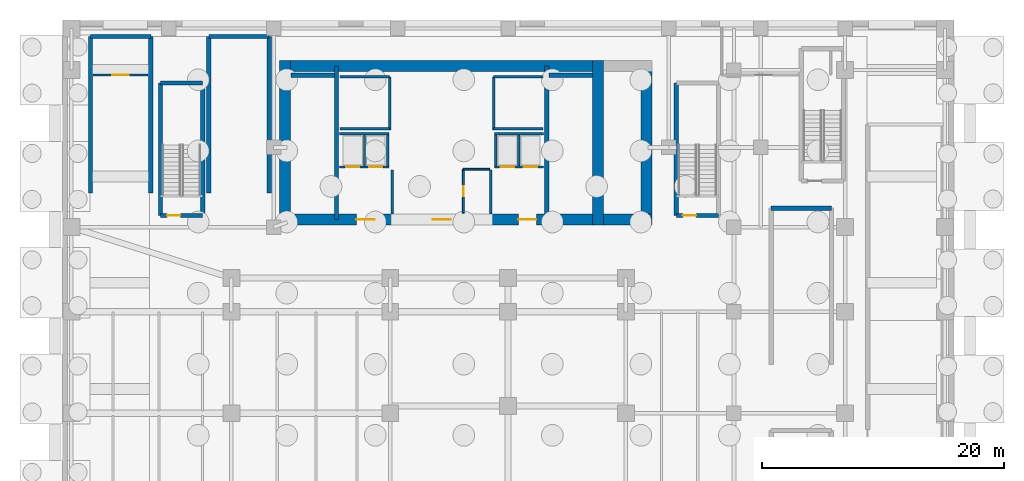
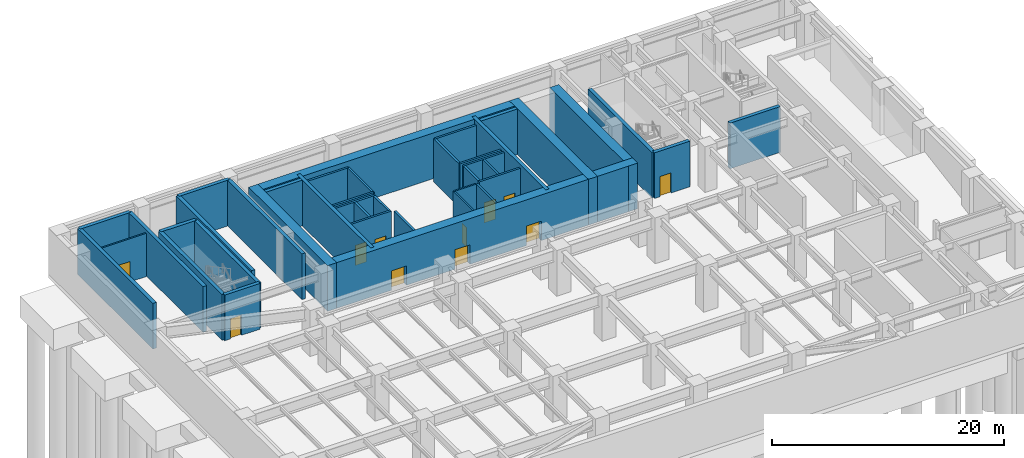
# One storey, part 5 of 9: 42 walls, 11 doors, 11 openings.
"""IFC4 building model written with IfcOpenShell, lengths in metres."""

from ifc_helpers import new_model, si_unit, direction, frame, frame_2d, origin, place, context, subcontext, project, spatial, rectangle, extrude, source, transform, mapped, material, layer, layer_set, type_object, type_shapes, element, fill, save


model = new_model("IFC4")

# Units and contexts
model_context = context("Model", 3, precision=1e-05, world=origin(), true_north=direction((0.0, 1.0)))
body_context = subcontext(model_context, "Body", "Model", "MODEL_VIEW")
ifc_project = project(units=[si_unit("LENGTHUNIT", "METRE"), si_unit("AREAUNIT", "SQUARE_METRE"), si_unit("VOLUMEUNIT", "CUBIC_METRE"), si_unit("PLANEANGLEUNIT", "RADIAN"), si_unit("MASSUNIT", "GRAM", prefix="KILO")], contexts=[model_context])

# Site, building, storey
site_placement = place(None, origin())
site = spatial("IfcSite", under=ifc_project, at=site_placement, CompositionType="ELEMENT")
building_placement = place(site_placement, origin())
building = spatial("IfcBuilding", under=site, at=building_placement, Name="Tolvann Quenvar Hotel", CompositionType="ELEMENT")
storey_placement = place(building_placement, frame((0.0, 0.0, -14.39990234375)))
storey = spatial("IfcBuildingStorey", under=building, at=storey_placement, Name="B03", CompositionType="ELEMENT", Elevation=-14.39990234375)

# Wall, openings, doors
ifc_material_1 = material(Name="Concrete S80 (80 MPa)", Category="concrete")
ifc_layer_1 = layer(ifc_material_1, 0.89990234375)
ifc_layer_set_1 = layer_set([ifc_layer_1], Name="Concrete S80 (80 MPa)")
wall_type_1 = type_object("IfcWallType", Name="WALL_CORE_900", PredefinedType="SHEAR", material=ifc_layer_set_1)
wall_1_placement = place(storey_placement, frame((9.60009765625, 32.050048828125, 0.0), z_axis=(0.0, 0.0, 1.0), x_axis=(1.0, 0.0, 0.0)))
wall_1 = element("IfcWall", 1, at=wall_1_placement, inside=storey, type_object=wall_type_1, Name="Rear Core S Shear Wall (B03)", PredefinedType="SHEAR", context=body_context, shape_type="SweptSolid", body=[
    extrude(rectangle(XDim=26.7998046875, YDim=0.89990234375, at=frame_2d((13.39990234375, 0.0))), origin(), (0.0, 0.0, 1.0), 4.7998046875),
])
opening_1_placement = place(wall_1_placement, frame((7.85009765625, 0.0, 0.0), z_axis=(0.0, 0.0, 1.0), x_axis=(-1.0, 0.0, 0.0)))
opening_1 = element("IfcOpeningElement", 2, at=opening_1_placement, cuts=wall_1, Name="Opening FD-60D", PredefinedType="OPENING", context=body_context, shape_type="SweptSolid", body=[
    extrude(rectangle(XDim=1.5, YDim=2.0400390625, at=frame_2d((0.75, 1.02001953125))), frame((0.0, 0.4599609375, 0.0), z_axis=(0.0, -1.0, 0.0), x_axis=(1.0, 0.0, 0.0)), (0.0, 0.0, 1.0), 0.919921875),
])
opening_2_placement = place(wall_1_placement, frame((14.14990234375, 0.0, 0.0), z_axis=(0.0, 0.0, 1.0), x_axis=(-1.0, 0.0, 0.0)))
opening_2 = element("IfcOpeningElement", 3, at=opening_2_placement, cuts=wall_1, Name="Opening FD-60D", PredefinedType="OPENING", context=body_context, shape_type="SweptSolid", body=[
    extrude(rectangle(XDim=1.5, YDim=2.0400390625, at=frame_2d((0.75, 1.02001953125))), frame((0.0, 0.4599609375, 0.0), z_axis=(0.0, -1.0, 0.0), x_axis=(1.0, 0.0, 0.0)), (0.0, 0.0, 1.0), 0.919921875),
])
opening_3_placement = place(wall_1_placement, frame((21.25, 0.0, 0.0), z_axis=(0.0, 0.0, 1.0), x_axis=(-1.0, 0.0, 0.0)))
opening_3 = element("IfcOpeningElement", 4, at=opening_3_placement, cuts=wall_1, Name="Opening FD-60D", PredefinedType="OPENING", context=body_context, shape_type="SweptSolid", body=[
    extrude(rectangle(XDim=1.5, YDim=2.0400390625, at=frame_2d((0.75, 1.02001953125))), frame((0.0, 0.4599609375, 0.0), z_axis=(0.0, -1.0, 0.0), x_axis=(1.0, 0.0, 0.0)), (0.0, 0.0, 1.0), 0.919921875),
])
ifc_material_2 = material(Name="Solid-core American oak acoustic fire door leaf in steel frame", Category="steel")
door_type_1 = type_object("IfcDoorType", Name="DOOR_FIRE_LOBBY_1500", OperationType="NOTDEFINED", PredefinedType="DOOR", material=ifc_material_2)
shared_shape_1 = source(origin(), body_context, "Body", "SweptSolid", [
    extrude(rectangle(XDim=1.5, YDim=2.0400390625, at=frame_2d((0.75, 1.02001953125))), frame((0.0, 0.02490234375, 0.0), z_axis=(0.0, -1.0, 0.0), x_axis=(1.0, 0.0, 0.0)), (0.0, 0.0, 1.0), 0.050048828125),
])
type_shapes(door_type_1, [shared_shape_1])
door_1_placement = place(opening_1_placement, origin())
door_1 = element("IfcDoor", 5, at=door_1_placement, inside=storey, type_object=door_type_1, Name="Core Lobby Fire Door FFW (B03)", OperationType="DOUBLE_DOOR_SINGLE_SWING", OverallHeight=2.0400390625, OverallWidth=1.5, PredefinedType="DOOR", context=body_context, shape_type="MappedRepresentation", body=[
    mapped(shared_shape_1, transform((0.0, 0.0, 0.0), x_axis=(1.0, 0.0, 0.0), y_axis=(0.0, 1.0, 0.0), z_axis=(0.0, 0.0, 1.0), scale=1.0)),
])
fill(opening_1, door_1)
door_2_placement = place(opening_2_placement, origin())
door_2 = element("IfcDoor", 6, at=door_2_placement, inside=storey, type_object=door_type_1, Name="Core Lobby Fire Door CLOB (B03)", OperationType="DOUBLE_DOOR_SINGLE_SWING", OverallHeight=2.0400390625, OverallWidth=1.5, PredefinedType="DOOR", context=body_context, shape_type="MappedRepresentation", body=[
    mapped(shared_shape_1, transform((0.0, 0.0, 0.0), x_axis=(1.0, 0.0, 0.0), y_axis=(0.0, 1.0, 0.0), z_axis=(0.0, 0.0, 1.0), scale=1.0)),
])
fill(opening_2, door_2)
door_3_placement = place(opening_3_placement, origin())
door_3 = element("IfcDoor", 7, at=door_3_placement, inside=storey, type_object=door_type_1, Name="Core Lobby Fire Door FFE (B03)", OperationType="DOUBLE_DOOR_SINGLE_SWING", OverallHeight=2.0400390625, OverallWidth=1.5, PredefinedType="DOOR", context=body_context, shape_type="MappedRepresentation", body=[
    mapped(shared_shape_1, transform((0.0, 0.0, 0.0), x_axis=(1.0, 0.0, 0.0), y_axis=(0.0, 1.0, 0.0), z_axis=(0.0, 0.0, 1.0), scale=1.0)),
])
fill(opening_3, door_3)

# Walls
wall_2_placement = place(storey_placement, frame((9.60009765625, 44.75, 0.0), z_axis=(0.0, 0.0, 1.0), x_axis=(1.0, 0.0, 0.0)))
element("IfcWall", 8, at=wall_2_placement, inside=storey, type_object=wall_type_1, Name="Rear Core N Shear Wall (B03)", PredefinedType="SHEAR", context=body_context, shape_type="SweptSolid", body=[
    extrude(rectangle(XDim=26.7998046875, YDim=0.89990234375, at=frame_2d((13.39990234375, 0.0))), origin(), (0.0, 0.0, 1.0), 4.7998046875),
])
for number, where, z_axis, x_axis, name in (
    (9, (10.050048828125, 31.60009765625, 0.0), (0.0, 0.0, 1.0), (0.0, 1.0, 0.0), "Rear Core W Shear Wall (B03)"),
    (10, (35.949951171875, 31.60009765625, 0.0), (0.0, 0.0, 1.0), (0.0, 1.0, 0.0), "Rear Core E Shear Wall (B03)"),
):
    element("IfcWall", number, at=place(storey_placement, frame(where, z_axis=z_axis, x_axis=x_axis)), inside=storey, type_object=wall_type_1, Name=name, PredefinedType="SHEAR", context=body_context, shape_type="SweptSolid", body=[
        extrude(rectangle(XDim=13.599853515625, YDim=0.89990234375, at=frame_2d((6.7998046875, 0.0))), origin(), (0.0, 0.0, 1.0), 4.7998046875),
    ])
wall_3_placement = place(storey_placement, frame((36.39990234375, 32.050048828125, 0.0), z_axis=(0.0, 0.0, 1.0), x_axis=(1.0, 0.0, 0.0)))
element("IfcWall", 11, at=wall_3_placement, inside=storey, type_object=wall_type_1, Name="Core East Annex Shear Wall ANN-S (B03)", PredefinedType="SHEAR", context=body_context, shape_type="SweptSolid", body=[
    extrude(rectangle(XDim=4.0, YDim=0.89990234375, at=frame_2d((2.0, 0.0))), origin(), (0.0, 0.0, 1.0), 4.7998046875),
])
wall_4_placement = place(storey_placement, frame((39.949951171875, 31.60009765625, 0.0), z_axis=(0.0, 0.0, 1.0), x_axis=(0.0, 1.0, 0.0)))
element("IfcWall", 12, at=wall_4_placement, inside=storey, type_object=wall_type_1, Name="Core East Annex Shear Wall ANN-E (B03)", PredefinedType="SHEAR", context=body_context, shape_type="SweptSolid", body=[
    extrude(rectangle(XDim=13.599853515625, YDim=0.89990234375, at=frame_2d((6.7998046875, 0.0))), origin(), (0.0, 0.0, 1.0), 4.7998046875),
])
ifc_material_3 = material(Name="Concrete S65 (65 MPa)", Category="concrete")
ifc_layer_2 = layer(ifc_material_3, 0.35009765625)
ifc_layer_set_2 = layer_set([ifc_layer_2], Name="Concrete S65 (65 MPa)")
wall_type_2 = type_object("IfcWallType", Name="WALL_CORE_INT_350", PredefinedType="SHEAR", material=ifc_layer_set_2)
for number, where, z_axis, x_axis, name in (
    (13, (14.300048828125, 32.050048828125, 0.0), (0.0, 0.0, 1.0), (0.0, 1.0, 0.0), "Core Internal Web Shear Wall WEB-W (B03)"),
    (14, (31.699951171875, 32.050048828125, 0.0), (0.0, 0.0, 1.0), (0.0, 1.0, 0.0), "Core Internal Web Shear Wall WEB-E (B03)"),
):
    element("IfcWall", number, at=place(storey_placement, frame(where, z_axis=z_axis, x_axis=x_axis)), inside=storey, type_object=wall_type_2, Name=name, PredefinedType="SHEAR", context=body_context, shape_type="SweptSolid", body=[
        extrude(rectangle(XDim=12.699951171875, YDim=0.35009765625, at=frame_2d((6.35009765625, 0.0))), origin(), (0.0, 0.0, 1.0), 4.7998046875),
    ])
for number, where, z_axis, x_axis, name in (
    (15, (10.52001953125, 43.97509765625, 0.0), (0.0, 0.0, 1.0), (1.0, 0.0, 0.0), "Core Stair North Closing Shear Wall STC1-N (B03)"),
    (16, (31.8798828125, 43.97509765625, 0.0), (0.0, 0.0, 1.0), (1.0, 0.0, 0.0), "Core Stair North Closing Shear Wall STC2-N (B03)"),
):
    element("IfcWall", number, at=place(storey_placement, frame(where, z_axis=z_axis, x_axis=x_axis)), inside=storey, type_object=wall_type_2, Name=name, PredefinedType="SHEAR", context=body_context, shape_type="SweptSolid", body=[
        extrude(rectangle(XDim=3.60009765625, YDim=0.35009765625, at=frame_2d((1.800048828125, 0.0))), origin(), (0.0, 0.0, 1.0), 4.7998046875),
    ])

# Wall, opening, door
wall_5_placement = place(storey_placement, frame((-0.27490234375, 32.375, 0.0), z_axis=(0.0, 0.0, 1.0), x_axis=(1.0, 0.0, 0.0)))
wall_5 = element("IfcWall", 17, at=wall_5_placement, inside=storey, type_object=wall_type_2, Name="Stairwell ST-B1 Structural Shaft Wall S (B03)", PredefinedType="SHEAR", context=body_context, shape_type="SweptSolid", body=[
    extrude(rectangle(XDim=3.5, YDim=0.35009765625, at=frame_2d((1.75, 0.0))), origin(), (0.0, 0.0, 1.0), 4.7998046875),
])
opening_4_placement = place(wall_5_placement, frame((0.550048828125, 0.0, 0.0)))
opening_4 = element("IfcOpeningElement", 18, at=opening_4_placement, cuts=wall_5, Name="Opening FD-120", PredefinedType="OPENING", context=body_context, shape_type="SweptSolid", body=[
    extrude(rectangle(XDim=1.10009765625, YDim=2.1201171875, at=frame_2d((0.550048828125, 1.06005859375))), frame((0.0, 0.18505859375, 0.0), z_axis=(0.0, -1.0, 0.0), x_axis=(1.0, 0.0, 0.0)), (0.0, 0.0, 1.0), 0.3701171875),
])
ifc_material_4 = material(Name="Pressed galvanised steel fire-rated door set", Category="steel")
door_type_2 = type_object("IfcDoorType", Name="DOOR_FIRE_STAIR_1100", OperationType="NOTDEFINED", PredefinedType="DOOR", material=ifc_material_4)
shared_shape_2 = source(origin(), body_context, "Body", "SweptSolid", [
    extrude(rectangle(XDim=1.10009765625, YDim=2.1201171875, at=frame_2d((0.550048828125, 1.06005859375))), frame((0.0, 0.02490234375, 0.0), z_axis=(0.0, -1.0, 0.0), x_axis=(1.0, 0.0, 0.0)), (0.0, 0.0, 1.0), 0.050048828125),
])
type_shapes(door_type_2, [shared_shape_2])
door_4_placement = place(opening_4_placement, origin())
door_4 = element("IfcDoor", 19, at=door_4_placement, inside=storey, type_object=door_type_2, Name="Exit Stair ST-B1 Fire Door (B03)", OperationType="SINGLE_SWING_LEFT", OverallHeight=2.1201171875, OverallWidth=1.10009765625, PredefinedType="DOOR", context=body_context, shape_type="MappedRepresentation", body=[
    mapped(shared_shape_2, transform((0.0, 0.0, 0.0), x_axis=(1.0, 0.0, 0.0), y_axis=(0.0, 1.0, 0.0), z_axis=(0.0, 0.0, 1.0), scale=1.0)),
])
fill(opening_4, door_4)

# Walls
wall_6_placement = place(storey_placement, frame((3.22509765625, 32.375, 0.0), z_axis=(0.0, 0.0, 1.0), x_axis=(0.0, 1.0, 0.0)))
element("IfcWall", 20, at=wall_6_placement, inside=storey, type_object=wall_type_2, Name="Stairwell ST-B1 Structural Shaft Wall E (B03)", PredefinedType="SHEAR", context=body_context, shape_type="SweptSolid", body=[
    extrude(rectangle(XDim=10.949951171875, YDim=0.35009765625, at=frame_2d((5.47509765625, 0.0))), origin(), (0.0, 0.0, 1.0), 4.7998046875),
])
wall_7_placement = place(storey_placement, frame((3.22509765625, 43.324951171875, 0.0), z_axis=(0.0, 0.0, 1.0), x_axis=(-1.0, 0.0, 0.0)))
element("IfcWall", 21, at=wall_7_placement, inside=storey, type_object=wall_type_2, Name="Stairwell ST-B1 Structural Shaft Wall N (B03)", PredefinedType="SHEAR", context=body_context, shape_type="SweptSolid", body=[
    extrude(rectangle(XDim=3.5, YDim=0.35009765625, at=frame_2d((1.75, 0.0))), origin(), (0.0, 0.0, 1.0), 4.7998046875),
])
wall_8_placement = place(storey_placement, frame((-0.27490234375, 43.324951171875, 0.0), z_axis=(0.0, 0.0, 1.0), x_axis=(0.0, -1.0, 0.0)))
element("IfcWall", 22, at=wall_8_placement, inside=storey, type_object=wall_type_2, Name="Stairwell ST-B1 Structural Shaft Wall W (B03)", PredefinedType="SHEAR", context=body_context, shape_type="SweptSolid", body=[
    extrude(rectangle(XDim=10.949951171875, YDim=0.35009765625, at=frame_2d((5.47509765625, 0.0))), origin(), (0.0, 0.0, 1.0), 4.7998046875),
])

# Wall, opening, door
wall_9_placement = place(storey_placement, frame((42.425048828125, 32.375, 0.0), z_axis=(0.0, 0.0, 1.0), x_axis=(1.0, 0.0, 0.0)))
wall_9 = element("IfcWall", 23, at=wall_9_placement, inside=storey, type_object=wall_type_2, Name="Stairwell ST-B2 Structural Shaft Wall S (B03)", PredefinedType="SHEAR", context=body_context, shape_type="SweptSolid", body=[
    extrude(rectangle(XDim=3.5, YDim=0.35009765625, at=frame_2d((1.75, 0.0))), origin(), (0.0, 0.0, 1.0), 4.7998046875),
])
opening_5_placement = place(wall_9_placement, frame((0.550048828125, 0.0, 0.0)))
opening_5 = element("IfcOpeningElement", 24, at=opening_5_placement, cuts=wall_9, Name="Opening FD-120", PredefinedType="OPENING", context=body_context, shape_type="SweptSolid", body=[
    extrude(rectangle(XDim=1.10009765625, YDim=2.1201171875, at=frame_2d((0.550048828125, 1.06005859375))), frame((0.0, 0.18505859375, 0.0), z_axis=(0.0, -1.0, 0.0), x_axis=(1.0, 0.0, 0.0)), (0.0, 0.0, 1.0), 0.3701171875),
])
door_5_placement = place(opening_5_placement, origin())
door_5 = element("IfcDoor", 25, at=door_5_placement, inside=storey, type_object=door_type_2, Name="Exit Stair ST-B2 Fire Door (B03)", OperationType="SINGLE_SWING_RIGHT", OverallHeight=2.1201171875, OverallWidth=1.10009765625, PredefinedType="DOOR", context=body_context, shape_type="MappedRepresentation", body=[
    mapped(shared_shape_2, transform((0.0, 0.0, 0.0), x_axis=(1.0, 0.0, 0.0), y_axis=(0.0, 1.0, 0.0), z_axis=(0.0, 0.0, 1.0), scale=1.0)),
])
fill(opening_5, door_5)

# Walls
wall_10_placement = place(storey_placement, frame((42.425048828125, 43.324951171875, 0.0), z_axis=(0.0, 0.0, 1.0), x_axis=(0.0, -1.0, 0.0)))
element("IfcWall", 26, at=wall_10_placement, inside=storey, type_object=wall_type_2, Name="Stairwell ST-B2 Structural Shaft Wall W (B03)", PredefinedType="SHEAR", context=body_context, shape_type="SweptSolid", body=[
    extrude(rectangle(XDim=10.949951171875, YDim=0.35009765625, at=frame_2d((5.47509765625, 0.0))), origin(), (0.0, 0.0, 1.0), 4.7998046875),
])
wall_11_placement = place(storey_placement, frame((-1.074951171875, 34.22509765625, 0.0), z_axis=(0.0, 0.0, 1.0), x_axis=(0.0, 1.0, 0.0)))
element("IfcWall", 27, at=wall_11_placement, inside=storey, type_object=wall_type_2, Name="Stairwell ST-P1 Structural Shaft Wall E (B03)", PredefinedType="SHEAR", context=body_context, shape_type="SweptSolid", body=[
    extrude(rectangle(XDim=12.949951171875, YDim=0.35009765625, at=frame_2d((6.47509765625, 0.0))), origin(), (0.0, 0.0, 1.0), 4.7998046875),
])
wall_12_placement = place(storey_placement, frame((-1.074951171875, 47.175048828125, 0.0), z_axis=(0.0, 0.0, 1.0), x_axis=(-1.0, 0.0, 0.0)))
element("IfcWall", 28, at=wall_12_placement, inside=storey, type_object=wall_type_2, Name="Stairwell ST-P1 Structural Shaft Wall N (B03)", PredefinedType="SHEAR", context=body_context, shape_type="SweptSolid", body=[
    extrude(rectangle(XDim=5.0, YDim=0.35009765625, at=frame_2d((2.5, 0.0))), origin(), (0.0, 0.0, 1.0), 4.7998046875),
])
for number, where, z_axis, x_axis, name in (
    (29, (-6.074951171875, 47.175048828125, 0.0), (0.0, 0.0, 1.0), (0.0, -1.0, 0.0), "Stairwell ST-P1 Structural Shaft Wall W (B03)"),
    (30, (8.72509765625, 34.22509765625, 0.0), (0.0, 0.0, 1.0), (0.0, 1.0, 0.0), "Stairwell ST-P2 Structural Shaft Wall E (B03)"),
):
    element("IfcWall", number, at=place(storey_placement, frame(where, z_axis=z_axis, x_axis=x_axis)), inside=storey, type_object=wall_type_2, Name=name, PredefinedType="SHEAR", context=body_context, shape_type="SweptSolid", body=[
        extrude(rectangle(XDim=12.949951171875, YDim=0.35009765625, at=frame_2d((6.47509765625, 0.0))), origin(), (0.0, 0.0, 1.0), 4.7998046875),
    ])
wall_13_placement = place(storey_placement, frame((8.72509765625, 47.175048828125, 0.0), z_axis=(0.0, 0.0, 1.0), x_axis=(-1.0, 0.0, 0.0)))
element("IfcWall", 31, at=wall_13_placement, inside=storey, type_object=wall_type_2, Name="Stairwell ST-P2 Structural Shaft Wall N (B03)", PredefinedType="SHEAR", context=body_context, shape_type="SweptSolid", body=[
    extrude(rectangle(XDim=5.0, YDim=0.35009765625, at=frame_2d((2.5, 0.0))), origin(), (0.0, 0.0, 1.0), 4.7998046875),
])
wall_14_placement = place(storey_placement, frame((3.72509765625, 47.175048828125, 0.0), z_axis=(0.0, 0.0, 1.0), x_axis=(0.0, -1.0, 0.0)))
element("IfcWall", 32, at=wall_14_placement, inside=storey, type_object=wall_type_2, Name="Stairwell ST-P2 Structural Shaft Wall W (B03)", PredefinedType="SHEAR", context=body_context, shape_type="SweptSolid", body=[
    extrude(rectangle(XDim=12.949951171875, YDim=0.35009765625, at=frame_2d((6.47509765625, 0.0))), origin(), (0.0, 0.0, 1.0), 4.7998046875),
])
wall_15_placement = place(storey_placement, frame((55.27490234375, 32.97509765625, 0.0), z_axis=(0.0, 0.0, 1.0), x_axis=(-1.0, 0.0, 0.0)))
element("IfcWall", 33, at=wall_15_placement, inside=storey, type_object=wall_type_2, Name="Stairwell ST-P4 Structural Shaft Wall N (B03)", PredefinedType="SHEAR", context=body_context, shape_type="SweptSolid", body=[
    extrude(rectangle(XDim=5.0, YDim=0.35009765625, at=frame_2d((2.5, 0.0))), origin(), (0.0, 0.0, 1.0), 4.7998046875),
])
ifc_material_5 = material(Name="Acoustic twin-stud fire-rated gypsum plasterboard partition")
ifc_layer_3 = layer(ifc_material_5, 0.14990234375)
ifc_layer_set_3 = layer_set([ifc_layer_3], Name="Acoustic twin-stud fire-rated gypsum plasterboard partition")
wall_type_3 = type_object("IfcWallType", Name="WALL_PART_SUITE_150", PredefinedType="PARTITIONING", material=ifc_layer_set_3)
wall_16_placement = place(storey_placement, frame((24.800048828125, 36.199951171875, 0.0), z_axis=(0.0, 0.0, 1.0), x_axis=(1.0, 0.0, 0.0)))
element("IfcWall", 34, at=wall_16_placement, inside=storey, type_object=wall_type_3, Name="Interior Partition PT-SPC-B03-CSE-1-N", PredefinedType="PARTITIONING", context=body_context, shape_type="SweptSolid", body=[
    extrude(rectangle(XDim=2.179931640625, YDim=0.14990234375, at=frame_2d((1.08984375, 0.0))), origin(), (0.0, 0.0, 1.0), 4.539794921875),
])

# Wall, opening, door
wall_17_placement = place(storey_placement, frame((24.800048828125, 32.554931640625, 0.0), z_axis=(0.0, 0.0, 1.0), x_axis=(0.0, 1.0, 0.0)))
wall_17 = element("IfcWall", 35, at=wall_17_placement, inside=storey, type_object=wall_type_3, Name="Interior Partition PT-SPC-B03-CSE-1-W", PredefinedType="PARTITIONING", context=body_context, shape_type="SweptSolid", body=[
    extrude(rectangle(XDim=3.64501953125, YDim=0.14990234375, at=frame_2d((1.822509765625, 0.0))), origin(), (0.0, 0.0, 1.0), 4.539794921875),
])
opening_6_placement = place(wall_17_placement, frame((1.41259765625, 0.0, 0.0)))
opening_6 = element("IfcOpeningElement", 36, at=opening_6_placement, cuts=wall_17, Name="Opening HD-02", PredefinedType="OPENING", context=body_context, shape_type="SweptSolid", body=[
    extrude(rectangle(XDim=0.820068359375, YDim=2.010009765625, at=frame_2d((0.41015625, 1.0048828125))), frame((0.0, 0.0849609375, 0.0), z_axis=(0.0, -1.0, 0.0), x_axis=(1.0, 0.0, 0.0)), (0.0, 0.0, 1.0), 0.169921875),
])
door_type_3 = type_object("IfcDoorType", Name="DOOR_STORE_820", OperationType="NOTDEFINED", PredefinedType="DOOR", material=ifc_material_4)
shared_shape_3 = source(origin(), body_context, "Body", "SweptSolid", [
    extrude(rectangle(XDim=0.820068359375, YDim=2.010009765625, at=frame_2d((0.41015625, 1.0048828125))), frame((0.0, 0.02490234375, 0.0), z_axis=(0.0, -1.0, 0.0), x_axis=(1.0, 0.0, 0.0)), (0.0, 0.0, 1.0), 0.050048828125),
])
type_shapes(door_type_3, [shared_shape_3])
door_6_placement = place(opening_6_placement, origin())
door_6 = element("IfcDoor", 37, at=door_6_placement, inside=storey, type_object=door_type_3, Name="Interior Door DOOR-SPC-B03-CSE-1", OperationType="SINGLE_SWING_LEFT", OverallHeight=2.010009765625, OverallWidth=0.820068359375, PredefinedType="DOOR", context=body_context, shape_type="MappedRepresentation", body=[
    mapped(shared_shape_3, transform((0.0, 0.0, 0.0), x_axis=(1.0, 0.0, 0.0), y_axis=(0.0, 1.0, 0.0), z_axis=(0.0, 0.0, 1.0), scale=1.0)),
])
fill(opening_6, door_6)

wall_18_placement = place(storey_placement, frame((-5.844970703125, 44.0, 0.0), z_axis=(0.0, 0.0, 1.0), x_axis=(1.0, 0.0, 0.0)))
wall_18 = element("IfcWall", 38, at=wall_18_placement, inside=storey, type_object=wall_type_3, Name="Interior Partition PT-SPC-B03-TANK-S", PredefinedType="PARTITIONING", context=body_context, shape_type="SweptSolid", body=[
    extrude(rectangle(XDim=4.5400390625, YDim=0.14990234375, at=frame_2d((2.27001953125, 0.0))), origin(), (0.0, 0.0, 1.0), 4.539794921875),
])
opening_7_placement = place(wall_18_placement, frame((1.594970703125, 0.0, 0.0)))
opening_7 = element("IfcOpeningElement", 39, at=opening_7_placement, cuts=wall_18, Name="Opening PD-01", PredefinedType="OPENING", context=body_context, shape_type="SweptSolid", body=[
    extrude(rectangle(XDim=1.35009765625, YDim=2.14990234375, at=frame_2d((0.675048828125, 1.074951171875))), frame((0.0, 0.0849609375, 0.0), z_axis=(0.0, -1.0, 0.0), x_axis=(1.0, 0.0, 0.0)), (0.0, 0.0, 1.0), 0.169921875),
])
door_type_4 = type_object("IfcDoorType", Name="DOOR_PLANT_1350", OperationType="NOTDEFINED", PredefinedType="DOOR", material=ifc_material_4)
shared_shape_4 = source(origin(), body_context, "Body", "SweptSolid", [
    extrude(rectangle(XDim=1.35009765625, YDim=2.14990234375, at=frame_2d((0.675048828125, 1.074951171875))), frame((0.0, 0.02490234375, 0.0), z_axis=(0.0, -1.0, 0.0), x_axis=(1.0, 0.0, 0.0)), (0.0, 0.0, 1.0), 0.050048828125),
])
type_shapes(door_type_4, [shared_shape_4])
door_7_placement = place(opening_7_placement, origin())
door_7 = element("IfcDoor", 40, at=door_7_placement, inside=storey, type_object=door_type_4, Name="Interior Door DOOR-SPC-B03-TANK", OperationType="DOUBLE_DOOR_SINGLE_SWING", OverallHeight=2.14990234375, OverallWidth=1.35009765625, PredefinedType="DOOR", context=body_context, shape_type="MappedRepresentation", body=[
    mapped(shared_shape_4, transform((0.0, 0.0, 0.0), x_axis=(1.0, 0.0, 0.0), y_axis=(0.0, 1.0, 0.0), z_axis=(0.0, 0.0, 1.0), scale=1.0)),
])
fill(opening_7, door_7)

# Walls
ifc_material_6 = material(Name="Concrete N40 (40 MPa)", Category="concrete")
ifc_layer_4 = layer(ifc_material_6, 0.199951171875)
ifc_layer_set_4 = layer_set([ifc_layer_4], Name="Concrete N40 (40 MPa)")
wall_type_4 = type_object("IfcWallType", Name="WALL_SHAFT_200", PredefinedType="SOLIDWALL", material=ifc_layer_set_4)
wall_19_placement = place(storey_placement, frame((18.699951171875, 39.449951171875, 0.0), z_axis=(0.0, 0.0, 1.0), x_axis=(0.0, 1.0, 0.0)))
element("IfcWall", 41, at=wall_19_placement, inside=storey, type_object=wall_type_4, Name="Service Riser W Shaft Wall IN (B03)", PredefinedType="SOLIDWALL", context=body_context, shape_type="SweptSolid", body=[
    extrude(rectangle(XDim=4.400146484375, YDim=0.199951171875, at=frame_2d((2.2001953125, 0.0))), origin(), (0.0, 0.0, 1.0), 4.539794921875),
])
for number, where, z_axis, x_axis, name in (
    (42, (14.60009765625, 39.550048828125, 0.0), (0.0, 0.0, 1.0), (1.0, 0.0, 0.0), "Service Riser W Shaft Wall S (B03)"),
    (43, (14.60009765625, 43.85009765625, 0.0), (0.0, 0.0, 1.0), (1.0, 0.0, 0.0), "Service Riser W Shaft Wall N (B03)"),
):
    element("IfcWall", number, at=place(storey_placement, frame(where, z_axis=z_axis, x_axis=x_axis)), inside=storey, type_object=wall_type_4, Name=name, PredefinedType="SOLIDWALL", context=body_context, shape_type="SweptSolid", body=[
        extrude(rectangle(XDim=4.099853515625, YDim=0.199951171875, at=frame_2d((2.0498046875, 0.0))), origin(), (0.0, 0.0, 1.0), 4.539794921875),
    ])
wall_20_placement = place(storey_placement, frame((27.300048828125, 39.449951171875, 0.0), z_axis=(0.0, 0.0, 1.0), x_axis=(0.0, 1.0, 0.0)))
element("IfcWall", 44, at=wall_20_placement, inside=storey, type_object=wall_type_4, Name="Service Riser E Shaft Wall IN (B03)", PredefinedType="SOLIDWALL", context=body_context, shape_type="SweptSolid", body=[
    extrude(rectangle(XDim=4.400146484375, YDim=0.199951171875, at=frame_2d((2.2001953125, 0.0))), origin(), (0.0, 0.0, 1.0), 4.539794921875),
])
for number, where, z_axis, x_axis, name in (
    (45, (27.300048828125, 39.550048828125, 0.0), (0.0, 0.0, 1.0), (1.0, 0.0, 0.0), "Service Riser E Shaft Wall S (B03)"),
    (46, (27.300048828125, 43.85009765625, 0.0), (0.0, 0.0, 1.0), (1.0, 0.0, 0.0), "Service Riser E Shaft Wall N (B03)"),
):
    element("IfcWall", number, at=place(storey_placement, frame(where, z_axis=z_axis, x_axis=x_axis)), inside=storey, type_object=wall_type_4, Name=name, PredefinedType="SOLIDWALL", context=body_context, shape_type="SweptSolid", body=[
        extrude(rectangle(XDim=4.099853515625, YDim=0.199951171875, at=frame_2d((2.0498046875, 0.0))), origin(), (0.0, 0.0, 1.0), 4.539794921875),
    ])
for number, where, z_axis, x_axis, name in (
    (47, (18.919921875, 32.50390625, 0.0), (0.0, 0.0, 1.0), (0.0, 1.0, 0.0), "Firefighting Lobby W Inner Fire Wall (B03)"),
    (48, (27.080078125, 32.50390625, 0.0), (0.0, 0.0, 1.0), (0.0, 1.0, 0.0), "Firefighting Lobby E Inner Fire Wall (B03)"),
):
    element("IfcWall", number, at=place(storey_placement, frame(where, z_axis=z_axis, x_axis=x_axis)), inside=storey, type_object=wall_type_4, Name=name, PredefinedType="SOLIDWALL", context=body_context, shape_type="SweptSolid", body=[
        extrude(rectangle(XDim=3.64599609375, YDim=0.199951171875, at=frame_2d((1.822998046875, 0.0))), origin(), (0.0, 0.0, 1.0), 4.539794921875),
    ])

# Wall, openings, doors
wall_21_placement = place(storey_placement, frame((27.375, 36.3798828125, 0.0), z_axis=(0.0, 0.0, 1.0), x_axis=(1.0, 0.0, 0.0)))
wall_21 = element("IfcWall", 49, at=wall_21_placement, inside=storey, type_object=wall_type_4, Name="Lift Bank SEC1 Hoistway Front Wall (B03)", PredefinedType="SOLIDWALL", context=body_context, shape_type="SweptSolid", body=[
    extrude(rectangle(XDim=4.074951171875, YDim=0.199951171875, at=frame_2d((2.03759765625, 0.0))), origin(), (0.0, 0.0, 1.0), 4.539794921875),
])
opening_8_placement = place(wall_21_placement, frame((0.52490234375, 0.0, 0.0)))
opening_8 = element("IfcOpeningElement", 50, at=opening_8_placement, cuts=wall_21, Name="Opening LD-01", PredefinedType="OPENING", context=body_context, shape_type="SweptSolid", body=[
    extrude(rectangle(XDim=1.10009765625, YDim=2.1201171875, at=frame_2d((0.550048828125, 1.06005859375))), frame((0.0, 0.10986328125, 0.0), z_axis=(0.0, -1.0, 0.0), x_axis=(1.0, 0.0, 0.0)), (0.0, 0.0, 1.0), 0.219970703125),
])
opening_9_placement = place(wall_21_placement, frame((2.425048828125, 0.0, 0.0)))
opening_9 = element("IfcOpeningElement", 51, at=opening_9_placement, cuts=wall_21, Name="Opening LD-01", PredefinedType="OPENING", context=body_context, shape_type="SweptSolid", body=[
    extrude(rectangle(XDim=1.10009765625, YDim=2.1201171875, at=frame_2d((0.550048828125, 1.06005859375))), frame((0.0, 0.10986328125, 0.0), z_axis=(0.0, -1.0, 0.0), x_axis=(1.0, 0.0, 0.0)), (0.0, 0.0, 1.0), 0.219970703125),
])
ifc_material_7 = material(Name="Brushed 316 stainless steel automatic sliding lift landing door", Category="steel")
door_type_5 = type_object("IfcDoorType", Name="DOOR_LIFT_SLIDE_1100", OperationType="NOTDEFINED", PredefinedType="DOOR", material=ifc_material_7)
shared_shape_5 = source(origin(), body_context, "Body", "SweptSolid", [
    extrude(rectangle(XDim=1.10009765625, YDim=2.1201171875, at=frame_2d((0.550048828125, 1.06005859375))), frame((0.0, 0.02490234375, 0.0), z_axis=(0.0, -1.0, 0.0), x_axis=(1.0, 0.0, 0.0)), (0.0, 0.0, 1.0), 0.050048828125),
])
type_shapes(door_type_5, [shared_shape_5])
door_8_placement = place(opening_8_placement, origin())
door_8 = element("IfcDoor", 52, at=door_8_placement, inside=storey, type_object=door_type_5, Name="Lift SV-2 Sliding Landing Door (B03)", OperationType="SLIDING_TO_LEFT", OverallHeight=2.1201171875, OverallWidth=1.10009765625, PredefinedType="DOOR", context=body_context, shape_type="MappedRepresentation", body=[
    mapped(shared_shape_5, transform((0.0, 0.0, 0.0), x_axis=(1.0, 0.0, 0.0), y_axis=(0.0, 1.0, 0.0), z_axis=(0.0, 0.0, 1.0), scale=1.0)),
])
fill(opening_8, door_8)
door_9_placement = place(opening_9_placement, origin())
door_9 = element("IfcDoor", 53, at=door_9_placement, inside=storey, type_object=door_type_5, Name="Lift FF-2 Sliding Landing Door (B03)", OperationType="SLIDING_TO_RIGHT", OverallHeight=2.1201171875, OverallWidth=1.10009765625, PredefinedType="DOOR", context=body_context, shape_type="MappedRepresentation", body=[
    mapped(shared_shape_5, transform((0.0, 0.0, 0.0), x_axis=(1.0, 0.0, 0.0), y_axis=(0.0, 1.0, 0.0), z_axis=(0.0, 0.0, 1.0), scale=1.0)),
])
fill(opening_9, door_9)

# Walls
wall_22_placement = place(storey_placement, frame((27.375, 39.1201171875, 0.0), z_axis=(0.0, 0.0, 1.0), x_axis=(1.0, 0.0, 0.0)))
element("IfcWall", 54, at=wall_22_placement, inside=storey, type_object=wall_type_4, Name="Lift Bank SEC1 Hoistway Rear Wall (B03)", PredefinedType="SOLIDWALL", context=body_context, shape_type="SweptSolid", body=[
    extrude(rectangle(XDim=4.074951171875, YDim=0.199951171875, at=frame_2d((2.03759765625, 0.0))), origin(), (0.0, 0.0, 1.0), 4.539794921875),
])
for number, where, z_axis, x_axis, name in (
    (55, (27.47509765625, 36.47998046875, 0.0), (0.0, 0.0, 1.0), (0.0, 1.0, 0.0), "Lift Bank SEC1 Hoistway Cheek Wall 1 (B03)"),
    (56, (29.387451171875, 36.47998046875, 0.0), (0.0, 0.0, 1.0), (0.0, 1.0, 0.0), "Lift Bank SEC1 Divider Wall 1 (B03)"),
):
    element("IfcWall", number, at=place(storey_placement, frame(where, z_axis=z_axis, x_axis=x_axis)), inside=storey, type_object=wall_type_4, Name=name, PredefinedType="SOLIDWALL", context=body_context, shape_type="SweptSolid", body=[
        extrude(rectangle(XDim=2.5400390625, YDim=0.199951171875, at=frame_2d((1.27001953125, 0.0))), origin(), (0.0, 0.0, 1.0), 4.539794921875),
    ])

# Wall, openings, doors
wall_23_placement = place(storey_placement, frame((14.550048828125, 36.3798828125, 0.0), z_axis=(0.0, 0.0, 1.0), x_axis=(1.0, 0.0, 0.0)))
wall_23 = element("IfcWall", 57, at=wall_23_placement, inside=storey, type_object=wall_type_4, Name="Lift Bank SWC1 Hoistway Front Wall (B03)", PredefinedType="SOLIDWALL", context=body_context, shape_type="SweptSolid", body=[
    extrude(rectangle(XDim=4.074951171875, YDim=0.199951171875, at=frame_2d((2.03759765625, 0.0))), origin(), (0.0, 0.0, 1.0), 4.539794921875),
])
opening_10_placement = place(wall_23_placement, frame((0.550048828125, 0.0, 0.0)))
opening_10 = element("IfcOpeningElement", 58, at=opening_10_placement, cuts=wall_23, Name="Opening LD-01", PredefinedType="OPENING", context=body_context, shape_type="SweptSolid", body=[
    extrude(rectangle(XDim=1.10009765625, YDim=2.1201171875, at=frame_2d((0.550048828125, 1.06005859375))), frame((0.0, 0.10986328125, 0.0), z_axis=(0.0, -1.0, 0.0), x_axis=(1.0, 0.0, 0.0)), (0.0, 0.0, 1.0), 0.219970703125),
])
opening_11_placement = place(wall_23_placement, frame((2.449951171875, 0.0, 0.0)))
opening_11 = element("IfcOpeningElement", 59, at=opening_11_placement, cuts=wall_23, Name="Opening LD-01", PredefinedType="OPENING", context=body_context, shape_type="SweptSolid", body=[
    extrude(rectangle(XDim=1.10009765625, YDim=2.1201171875, at=frame_2d((0.550048828125, 1.06005859375))), frame((0.0, 0.10986328125, 0.0), z_axis=(0.0, -1.0, 0.0), x_axis=(1.0, 0.0, 0.0)), (0.0, 0.0, 1.0), 0.219970703125),
])
door_10_placement = place(opening_10_placement, origin())
door_10 = element("IfcDoor", 60, at=door_10_placement, inside=storey, type_object=door_type_5, Name="Lift FF-1 Sliding Landing Door (B03)", OperationType="SLIDING_TO_LEFT", OverallHeight=2.1201171875, OverallWidth=1.10009765625, PredefinedType="DOOR", context=body_context, shape_type="MappedRepresentation", body=[
    mapped(shared_shape_5, transform((0.0, 0.0, 0.0), x_axis=(1.0, 0.0, 0.0), y_axis=(0.0, 1.0, 0.0), z_axis=(0.0, 0.0, 1.0), scale=1.0)),
])
fill(opening_10, door_10)
door_11_placement = place(opening_11_placement, origin())
door_11 = element("IfcDoor", 61, at=door_11_placement, inside=storey, type_object=door_type_5, Name="Lift SV-1 Sliding Landing Door (B03)", OperationType="SLIDING_TO_RIGHT", OverallHeight=2.1201171875, OverallWidth=1.10009765625, PredefinedType="DOOR", context=body_context, shape_type="MappedRepresentation", body=[
    mapped(shared_shape_5, transform((0.0, 0.0, 0.0), x_axis=(1.0, 0.0, 0.0), y_axis=(0.0, 1.0, 0.0), z_axis=(0.0, 0.0, 1.0), scale=1.0)),
])
fill(opening_11, door_11)

# Walls
wall_24_placement = place(storey_placement, frame((14.550048828125, 39.1201171875, 0.0), z_axis=(0.0, 0.0, 1.0), x_axis=(1.0, 0.0, 0.0)))
element("IfcWall", 62, at=wall_24_placement, inside=storey, type_object=wall_type_4, Name="Lift Bank SWC1 Hoistway Rear Wall (B03)", PredefinedType="SOLIDWALL", context=body_context, shape_type="SweptSolid", body=[
    extrude(rectangle(XDim=4.074951171875, YDim=0.199951171875, at=frame_2d((2.03759765625, 0.0))), origin(), (0.0, 0.0, 1.0), 4.539794921875),
])
for number, where, z_axis, x_axis, name in (
    (63, (18.52490234375, 36.47998046875, 0.0), (0.0, 0.0, 1.0), (0.0, 1.0, 0.0), "Lift Bank SWC1 Hoistway Cheek Wall 2 (B03)"),
    (64, (16.612548828125, 36.47998046875, 0.0), (0.0, 0.0, 1.0), (0.0, 1.0, 0.0), "Lift Bank SWC1 Divider Wall 1 (B03)"),
):
    element("IfcWall", number, at=place(storey_placement, frame(where, z_axis=z_axis, x_axis=x_axis)), inside=storey, type_object=wall_type_4, Name=name, PredefinedType="SOLIDWALL", context=body_context, shape_type="SweptSolid", body=[
        extrude(rectangle(XDim=2.5400390625, YDim=0.199951171875, at=frame_2d((1.27001953125, 0.0))), origin(), (0.0, 0.0, 1.0), 4.539794921875),
    ])

save(model, "model.ifc")
